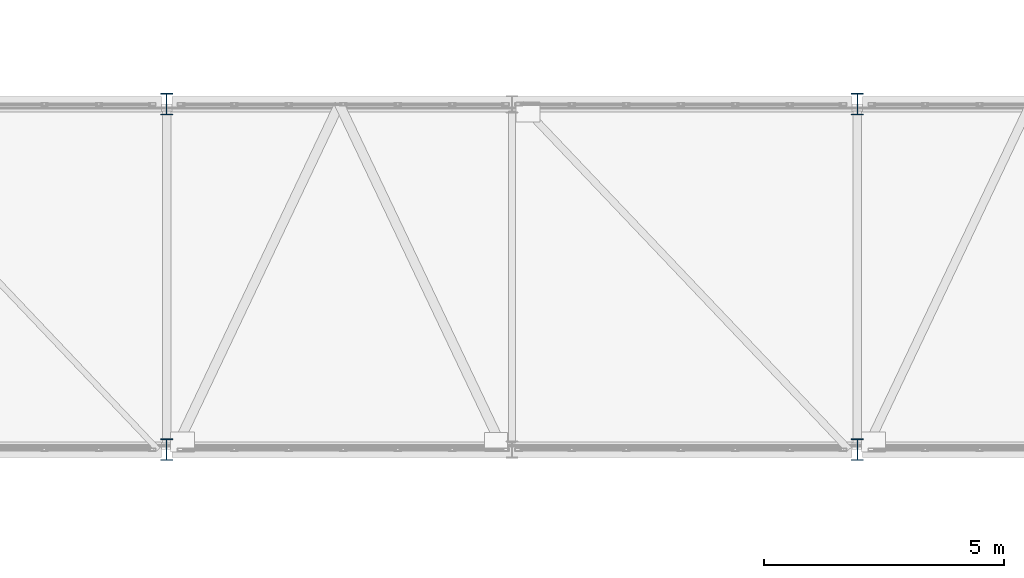
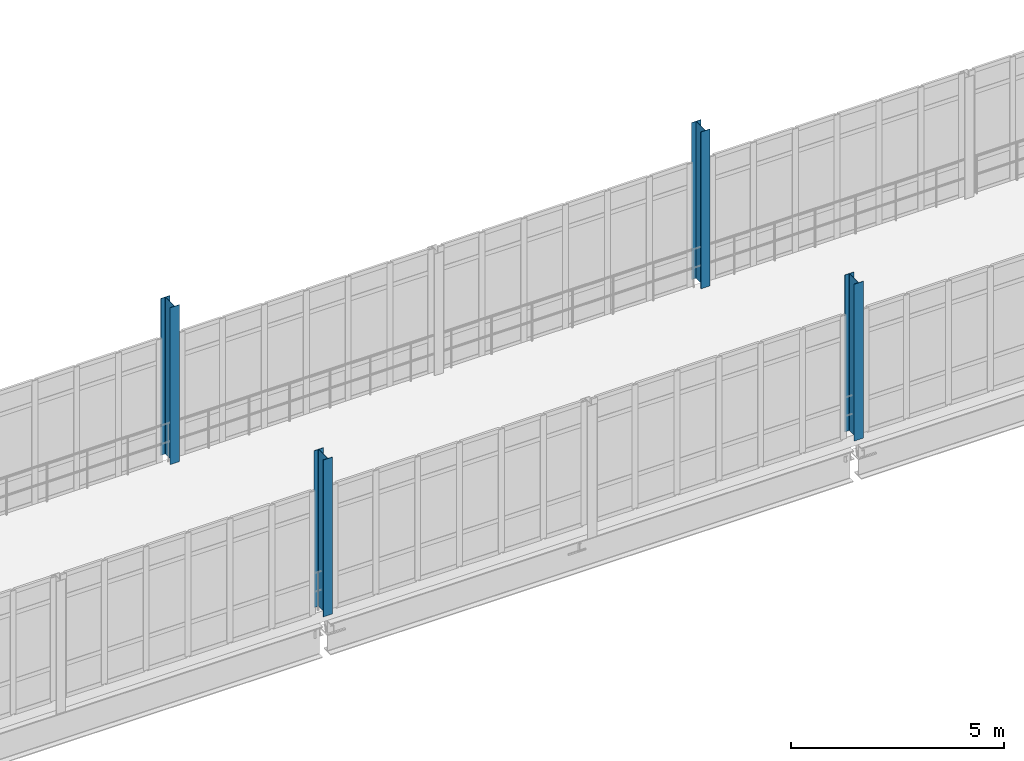
# One storey, part 2 of 124: 4 columns.
"""IFC4 building model written with IfcOpenShell, lengths in metres."""

from ifc_helpers import new_model, si_unit, direction, frame, origin, origin_2d, place, context, subcontext, project, spatial, i_section, extrude, material, material_profile, profile_set, type_object, element, save


model = new_model("IFC4")

# Units and contexts
model_context = context("Model", 3, precision=1e-05, world=origin(), true_north=direction((0.0, 1.0)))
body_context = subcontext(model_context, "Body", "Model", "MODEL_VIEW")
ifc_project = project(units=[si_unit("LENGTHUNIT", "METRE"), si_unit("AREAUNIT", "SQUARE_METRE"), si_unit("VOLUMEUNIT", "CUBIC_METRE"), si_unit("PLANEANGLEUNIT", "RADIAN"), si_unit("MASSUNIT", "GRAM", prefix="KILO")], contexts=[model_context])

# Site, building, storey
site_placement = place(None, origin())
site = spatial("IfcSite", under=ifc_project, at=site_placement, CompositionType="ELEMENT")
building_placement = place(site_placement, origin())
building = spatial("IfcBuilding", under=site, at=building_placement, Name="Kalluvel Institute of Natural Sciences", CompositionType="ELEMENT")
storey_placement = place(building_placement, frame((0.0, 0.0, 9.89990234375)))
storey = spatial("IfcBuildingStorey", under=building, at=storey_placement, Name="L02", CompositionType="ELEMENT", Elevation=9.89990234375)

# Columns
ifc_material = material(Name="Steel E350 Grade 350", Category="steel")
ifc_material_profile = material_profile(ifc_material, i_section(OverallWidth=0.25, OverallDepth=0.449951171875, WebThickness=0.01123046875, FlangeThickness=0.013671875, FilletRadius=0.013916015625, at=origin_2d()), Name="ISHB 450")
ifc_profile_set = profile_set([ifc_material_profile], Name="Steel E350 Grade 350")
column_type = type_object("IfcColumnType", Name="COL-ISHB450", PredefinedType="COLUMN", material=ifc_profile_set)
for number, where, z_axis, x_axis, name in (
    (1, (50.0, 28.39990234375, 0.0), (0.0, 0.0, 1.0), (1.0, 0.0, 0.0), "L02 structural column COL-L02-X500-Y284"),
    (2, (50.0, 35.60009765625, 0.0), (0.0, 0.0, 1.0), (1.0, 0.0, 0.0), "L02 structural column COL-L02-X500-Y356"),
    (3, (64.39990234375, 28.39990234375, 0.0), (0.0, 0.0, 1.0), (1.0, 0.0, 0.0), "L02 structural column COL-L02-X644-Y284"),
    (4, (64.39990234375, 35.60009765625, 0.0), (0.0, 0.0, 1.0), (1.0, 0.0, 0.0), "L02 structural column COL-L02-X644-Y356"),
):
    element("IfcColumn", number, at=place(storey_placement, frame(where, z_axis=z_axis, x_axis=x_axis)), inside=storey, type_object=column_type, Name=name, PredefinedType="COLUMN", context=body_context, shape_type="SweptSolid", body=[
        extrude(i_section(OverallWidth=0.25, OverallDepth=0.449951171875, WebThickness=0.01123046875, FlangeThickness=0.013671875, FilletRadius=0.013916015625, at=origin_2d()), origin(), (0.0, 0.0, 1.0), 4.5),
    ])

save(model, "model.ifc")
